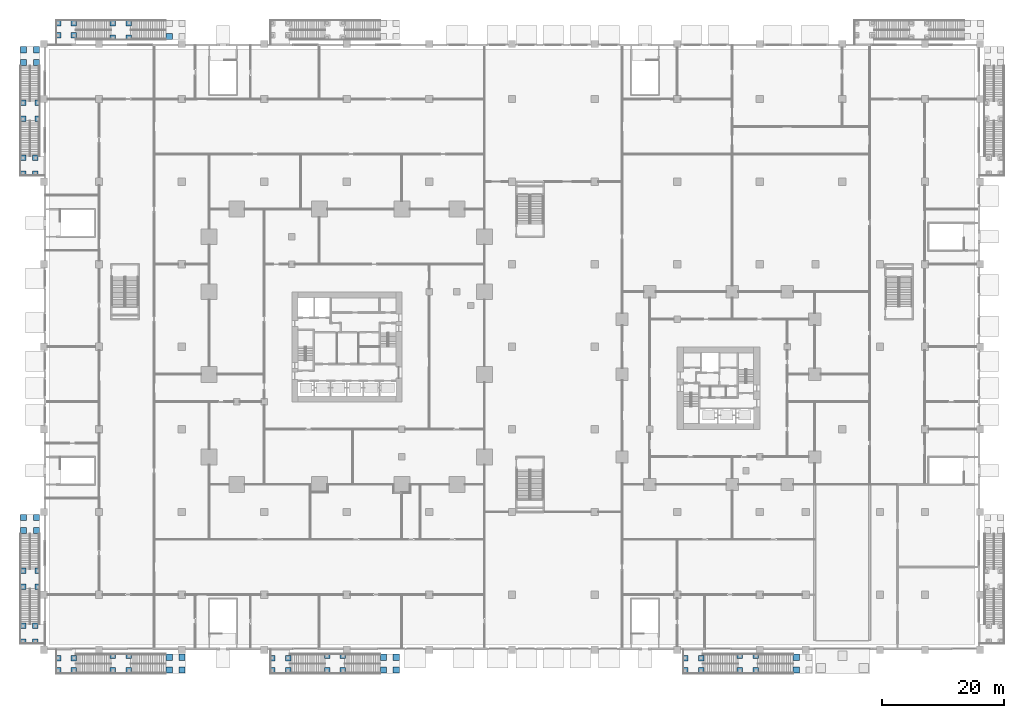
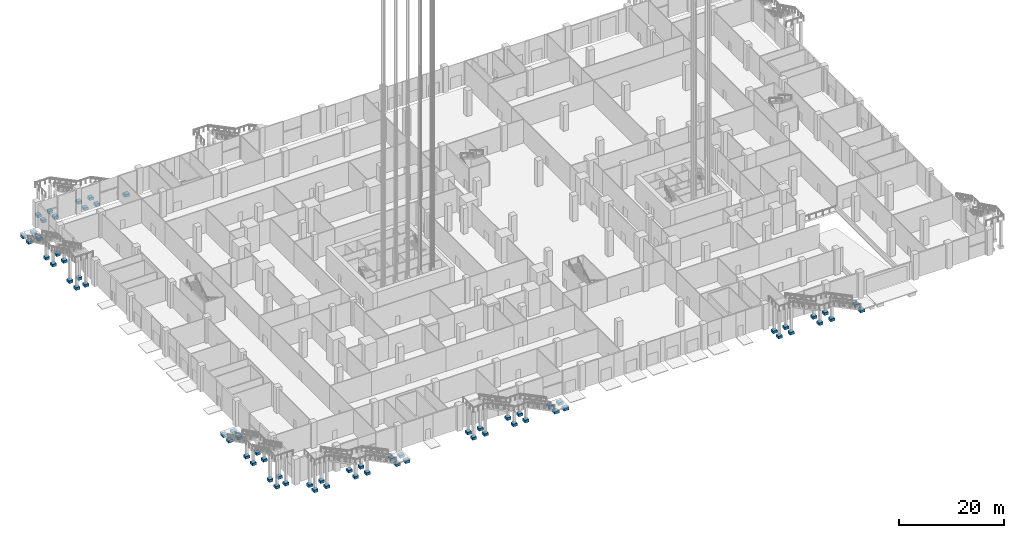
# One storey, part 1 of 68: 67 footings.
"""IFC4 building model written with IfcOpenShell, lengths in metres."""

from ifc_helpers import new_model, si_unit, direction, frame, origin, place, context, subcontext, project, spatial, polyline, outline, extrude, material, layer, layer_set, type_object, element, save


model = new_model("IFC4")

# Units and contexts
model_context = context("Model", 3, precision=1e-05, world=origin(), true_north=direction((0.0, 1.0)))
body_context = subcontext(model_context, "Body", "Model", "MODEL_VIEW")
ifc_project = project(units=[si_unit("LENGTHUNIT", "METRE"), si_unit("AREAUNIT", "SQUARE_METRE"), si_unit("VOLUMEUNIT", "CUBIC_METRE"), si_unit("PLANEANGLEUNIT", "RADIAN"), si_unit("MASSUNIT", "GRAM", prefix="KILO")], contexts=[model_context])

# Site, building, storey
site_placement = place(None, origin())
site = spatial("IfcSite", under=ifc_project, at=site_placement, CompositionType="ELEMENT")
building_placement = place(site_placement, origin())
building = spatial("IfcBuilding", under=site, at=building_placement, Name="Altepetl Exchange Towers", CompositionType="ELEMENT")
storey_placement = place(building_placement, origin())
storey = spatial("IfcBuildingStorey", under=building, at=storey_placement, Name="L00 Ground concourse", CompositionType="ELEMENT", Elevation=0.0)

# Footings
ifc_material = material(Name="Reinforced concrete C35/45", Category="concrete")
ifc_layer = layer(ifc_material, 0.60009765625)
ifc_layer_set = layer_set([ifc_layer], Name="Reinforced concrete C35/45")
footing_type = type_object("IfcFootingType", Name="Garden steps footing 900", PredefinedType="PAD_FOOTING", material=ifc_layer_set)
footing_1_placement = place(storey_placement, frame((0.0, 0.0, -0.60009765625)))
element("IfcFooting", 1, at=footing_1_placement, inside=storey, type_object=footing_type, Name="ftg:P:L00:G1pier0", PredefinedType="PAD_FOOTING", context=body_context, shape_type="SweptSolid", body=[
    extrude(outline(polyline([(1.85009765625, -1.85009765625), (2.75, -1.85009765625), (2.75, -0.949951171875), (1.85009765625, -0.949951171875), (1.85009765625, -1.85009765625)])), origin(), (0.0, 0.0, 1.0), 0.60009765625),
])
footing_2_placement = place(storey_placement, frame((0.0, 0.0, -0.60009765625)))
element("IfcFooting", 2, at=footing_2_placement, inside=storey, type_object=footing_type, Name="ftg:P:L00:G1pier1", PredefinedType="PAD_FOOTING", context=body_context, shape_type="SweptSolid", body=[
    extrude(outline(polyline([(1.85009765625, -3.85009765625), (2.75, -3.85009765625), (2.75, -2.949951171875), (1.85009765625, -2.949951171875), (1.85009765625, -3.85009765625)])), origin(), (0.0, 0.0, 1.0), 0.60009765625),
])
footing_3_placement = place(storey_placement, frame((0.0, 0.0, -0.60009765625)))
element("IfcFooting", 3, at=footing_3_placement, inside=storey, type_object=footing_type, Name="ftg:P:L00:G1pier2", PredefinedType="PAD_FOOTING", context=body_context, shape_type="SweptSolid", body=[
    extrude(outline(polyline([(4.449951171875, -1.85009765625), (5.35009765625, -1.85009765625), (5.35009765625, -0.949951171875), (4.449951171875, -0.949951171875), (4.449951171875, -1.85009765625)])), origin(), (0.0, 0.0, 1.0), 0.60009765625),
])
footing_4_placement = place(storey_placement, frame((0.0, 0.0, -0.60009765625)))
element("IfcFooting", 4, at=footing_4_placement, inside=storey, type_object=footing_type, Name="ftg:P:L00:G1pier3", PredefinedType="PAD_FOOTING", context=body_context, shape_type="SweptSolid", body=[
    extrude(outline(polyline([(4.449951171875, -3.85009765625), (5.35009765625, -3.85009765625), (5.35009765625, -2.949951171875), (4.449951171875, -2.949951171875), (4.449951171875, -3.85009765625)])), origin(), (0.0, 0.0, 1.0), 0.60009765625),
])
footing_5_placement = place(storey_placement, frame((0.0, 0.0, -0.60009765625)))
element("IfcFooting", 5, at=footing_5_placement, inside=storey, type_object=footing_type, Name="ftg:P:L00:G1pier4", PredefinedType="PAD_FOOTING", context=body_context, shape_type="SweptSolid", body=[
    extrude(outline(polyline([(10.81005859375, -1.449951171875), (11.7099609375, -1.449951171875), (11.7099609375, -0.550048828125), (10.81005859375, -0.550048828125), (10.81005859375, -1.449951171875)])), origin(), (0.0, 0.0, 1.0), 0.60009765625),
])
footing_6_placement = place(storey_placement, frame((0.0, 0.0, -0.60009765625)))
element("IfcFooting", 6, at=footing_6_placement, inside=storey, type_object=footing_type, Name="ftg:P:L00:G1pier5", PredefinedType="PAD_FOOTING", context=body_context, shape_type="SweptSolid", body=[
    extrude(outline(polyline([(10.81005859375, -3.85009765625), (11.7099609375, -3.85009765625), (11.7099609375, -2.949951171875), (10.81005859375, -2.949951171875), (10.81005859375, -3.85009765625)])), origin(), (0.0, 0.0, 1.0), 0.60009765625),
])
footing_7_placement = place(storey_placement, frame((0.0, 0.0, -0.60009765625)))
element("IfcFooting", 7, at=footing_7_placement, inside=storey, type_object=footing_type, Name="ftg:P:L00:G1pier6", PredefinedType="PAD_FOOTING", context=body_context, shape_type="SweptSolid", body=[
    extrude(outline(polyline([(13.409912109375, -1.449951171875), (14.31005859375, -1.449951171875), (14.31005859375, -0.550048828125), (13.409912109375, -0.550048828125), (13.409912109375, -1.449951171875)])), origin(), (0.0, 0.0, 1.0), 0.60009765625),
])
footing_8_placement = place(storey_placement, frame((0.0, 0.0, -0.60009765625)))
element("IfcFooting", 8, at=footing_8_placement, inside=storey, type_object=footing_type, Name="ftg:P:L00:G1pier7", PredefinedType="PAD_FOOTING", context=body_context, shape_type="SweptSolid", body=[
    extrude(outline(polyline([(13.409912109375, -3.85009765625), (14.31005859375, -3.85009765625), (14.31005859375, -2.949951171875), (13.409912109375, -2.949951171875), (13.409912109375, -3.85009765625)])), origin(), (0.0, 0.0, 1.0), 0.60009765625),
])
footing_9_placement = place(storey_placement, frame((0.0, 0.0, -0.85009765625)))
element("IfcFooting", 9, at=footing_9_placement, inside=storey, type_object=footing_type, Name="ftg:P:L00:G1foot0", PredefinedType="PAD_FOOTING", context=body_context, shape_type="SweptSolid", body=[
    extrude(outline(polyline([(19.969970703125, -1.75), (20.969970703125, -1.75), (20.969970703125, -0.75), (19.969970703125, -0.75), (19.969970703125, -1.75)])), origin(), (0.0, 0.0, 1.0), 0.60009765625),
])
footing_10_placement = place(storey_placement, frame((0.0, 0.0, -0.85009765625)))
element("IfcFooting", 10, at=footing_10_placement, inside=storey, type_object=footing_type, Name="ftg:P:L00:G1foot1", PredefinedType="PAD_FOOTING", context=body_context, shape_type="SweptSolid", body=[
    extrude(outline(polyline([(22.070068359375, -1.75), (23.070068359375, -1.75), (23.070068359375, -0.75), (22.070068359375, -0.75), (22.070068359375, -1.75)])), origin(), (0.0, 0.0, 1.0), 0.60009765625),
])
footing_11_placement = place(storey_placement, frame((0.0, 0.0, -0.85009765625)))
element("IfcFooting", 11, at=footing_11_placement, inside=storey, type_object=footing_type, Name="ftg:P:L00:G1foot2", PredefinedType="PAD_FOOTING", context=body_context, shape_type="SweptSolid", body=[
    extrude(outline(polyline([(22.070068359375, -3.85009765625), (23.070068359375, -3.85009765625), (23.070068359375, -2.85009765625), (22.070068359375, -2.85009765625), (22.070068359375, -3.85009765625)])), origin(), (0.0, 0.0, 1.0), 0.60009765625),
])
footing_12_placement = place(storey_placement, frame((0.0, 0.0, -0.85009765625)))
element("IfcFooting", 12, at=footing_12_placement, inside=storey, type_object=footing_type, Name="ftg:P:L00:G1foot3", PredefinedType="PAD_FOOTING", context=body_context, shape_type="SweptSolid", body=[
    extrude(outline(polyline([(19.969970703125, -3.85009765625), (20.969970703125, -3.85009765625), (20.969970703125, -2.85009765625), (19.969970703125, -2.85009765625), (19.969970703125, -3.85009765625)])), origin(), (0.0, 0.0, 1.0), 0.60009765625),
])
footing_13_placement = place(storey_placement, frame((0.0, 0.0, -0.60009765625)))
element("IfcFooting", 13, at=footing_13_placement, inside=storey, type_object=footing_type, Name="ftg:P:L00:G2pier0", PredefinedType="PAD_FOOTING", context=body_context, shape_type="SweptSolid", body=[
    extrude(outline(polyline([(36.85009765625, -1.85009765625), (37.75, -1.85009765625), (37.75, -0.949951171875), (36.85009765625, -0.949951171875), (36.85009765625, -1.85009765625)])), origin(), (0.0, 0.0, 1.0), 0.60009765625),
])
footing_14_placement = place(storey_placement, frame((0.0, 0.0, -0.60009765625)))
element("IfcFooting", 14, at=footing_14_placement, inside=storey, type_object=footing_type, Name="ftg:P:L00:G2pier1", PredefinedType="PAD_FOOTING", context=body_context, shape_type="SweptSolid", body=[
    extrude(outline(polyline([(36.85009765625, -3.85009765625), (37.75, -3.85009765625), (37.75, -2.949951171875), (36.85009765625, -2.949951171875), (36.85009765625, -3.85009765625)])), origin(), (0.0, 0.0, 1.0), 0.60009765625),
])
footing_15_placement = place(storey_placement, frame((0.0, 0.0, -0.60009765625)))
element("IfcFooting", 15, at=footing_15_placement, inside=storey, type_object=footing_type, Name="ftg:P:L00:G2pier2", PredefinedType="PAD_FOOTING", context=body_context, shape_type="SweptSolid", body=[
    extrude(outline(polyline([(39.449951171875, -1.85009765625), (40.35009765625, -1.85009765625), (40.35009765625, -0.949951171875), (39.449951171875, -0.949951171875), (39.449951171875, -1.85009765625)])), origin(), (0.0, 0.0, 1.0), 0.60009765625),
])
footing_16_placement = place(storey_placement, frame((0.0, 0.0, -0.60009765625)))
element("IfcFooting", 16, at=footing_16_placement, inside=storey, type_object=footing_type, Name="ftg:P:L00:G2pier3", PredefinedType="PAD_FOOTING", context=body_context, shape_type="SweptSolid", body=[
    extrude(outline(polyline([(39.449951171875, -3.85009765625), (40.35009765625, -3.85009765625), (40.35009765625, -2.949951171875), (39.449951171875, -2.949951171875), (39.449951171875, -3.85009765625)])), origin(), (0.0, 0.0, 1.0), 0.60009765625),
])
footing_17_placement = place(storey_placement, frame((0.0, 0.0, -0.60009765625)))
element("IfcFooting", 17, at=footing_17_placement, inside=storey, type_object=footing_type, Name="ftg:P:L00:G2pier4", PredefinedType="PAD_FOOTING", context=body_context, shape_type="SweptSolid", body=[
    extrude(outline(polyline([(45.81005859375, -1.449951171875), (46.7099609375, -1.449951171875), (46.7099609375, -0.550048828125), (45.81005859375, -0.550048828125), (45.81005859375, -1.449951171875)])), origin(), (0.0, 0.0, 1.0), 0.60009765625),
])
footing_18_placement = place(storey_placement, frame((0.0, 0.0, -0.60009765625)))
element("IfcFooting", 18, at=footing_18_placement, inside=storey, type_object=footing_type, Name="ftg:P:L00:G2pier5", PredefinedType="PAD_FOOTING", context=body_context, shape_type="SweptSolid", body=[
    extrude(outline(polyline([(45.81005859375, -3.85009765625), (46.7099609375, -3.85009765625), (46.7099609375, -2.949951171875), (45.81005859375, -2.949951171875), (45.81005859375, -3.85009765625)])), origin(), (0.0, 0.0, 1.0), 0.60009765625),
])
footing_19_placement = place(storey_placement, frame((0.0, 0.0, -0.60009765625)))
element("IfcFooting", 19, at=footing_19_placement, inside=storey, type_object=footing_type, Name="ftg:P:L00:G2pier6", PredefinedType="PAD_FOOTING", context=body_context, shape_type="SweptSolid", body=[
    extrude(outline(polyline([(48.409912109375, -1.449951171875), (49.31005859375, -1.449951171875), (49.31005859375, -0.550048828125), (48.409912109375, -0.550048828125), (48.409912109375, -1.449951171875)])), origin(), (0.0, 0.0, 1.0), 0.60009765625),
])
footing_20_placement = place(storey_placement, frame((0.0, 0.0, -0.60009765625)))
element("IfcFooting", 20, at=footing_20_placement, inside=storey, type_object=footing_type, Name="ftg:P:L00:G2pier7", PredefinedType="PAD_FOOTING", context=body_context, shape_type="SweptSolid", body=[
    extrude(outline(polyline([(48.409912109375, -3.85009765625), (49.31005859375, -3.85009765625), (49.31005859375, -2.949951171875), (48.409912109375, -2.949951171875), (48.409912109375, -3.85009765625)])), origin(), (0.0, 0.0, 1.0), 0.60009765625),
])
footing_21_placement = place(storey_placement, frame((0.0, 0.0, -0.85009765625)))
element("IfcFooting", 21, at=footing_21_placement, inside=storey, type_object=footing_type, Name="ftg:P:L00:G2foot0", PredefinedType="PAD_FOOTING", context=body_context, shape_type="SweptSolid", body=[
    extrude(outline(polyline([(54.969970703125, -1.75), (55.969970703125, -1.75), (55.969970703125, -0.75), (54.969970703125, -0.75), (54.969970703125, -1.75)])), origin(), (0.0, 0.0, 1.0), 0.60009765625),
])
footing_22_placement = place(storey_placement, frame((0.0, 0.0, -0.85009765625)))
element("IfcFooting", 22, at=footing_22_placement, inside=storey, type_object=footing_type, Name="ftg:P:L00:G2foot1", PredefinedType="PAD_FOOTING", context=body_context, shape_type="SweptSolid", body=[
    extrude(outline(polyline([(57.070068359375, -1.75), (58.070068359375, -1.75), (58.070068359375, -0.75), (57.070068359375, -0.75), (57.070068359375, -1.75)])), origin(), (0.0, 0.0, 1.0), 0.60009765625),
])
footing_23_placement = place(storey_placement, frame((0.0, 0.0, -0.85009765625)))
element("IfcFooting", 23, at=footing_23_placement, inside=storey, type_object=footing_type, Name="ftg:P:L00:G2foot2", PredefinedType="PAD_FOOTING", context=body_context, shape_type="SweptSolid", body=[
    extrude(outline(polyline([(57.070068359375, -3.85009765625), (58.070068359375, -3.85009765625), (58.070068359375, -2.85009765625), (57.070068359375, -2.85009765625), (57.070068359375, -3.85009765625)])), origin(), (0.0, 0.0, 1.0), 0.60009765625),
])
footing_24_placement = place(storey_placement, frame((0.0, 0.0, -0.85009765625)))
element("IfcFooting", 24, at=footing_24_placement, inside=storey, type_object=footing_type, Name="ftg:P:L00:G2foot3", PredefinedType="PAD_FOOTING", context=body_context, shape_type="SweptSolid", body=[
    extrude(outline(polyline([(54.969970703125, -3.85009765625), (55.969970703125, -3.85009765625), (55.969970703125, -2.85009765625), (54.969970703125, -2.85009765625), (54.969970703125, -3.85009765625)])), origin(), (0.0, 0.0, 1.0), 0.60009765625),
])
footing_25_placement = place(storey_placement, frame((0.0, 0.0, -0.60009765625)))
element("IfcFooting", 25, at=footing_25_placement, inside=storey, type_object=footing_type, Name="ftg:P:L00:G3pier0", PredefinedType="PAD_FOOTING", context=body_context, shape_type="SweptSolid", body=[
    extrude(outline(polyline([(1.85009765625, 99.949951171875), (2.75, 99.949951171875), (2.75, 100.85009765625), (1.85009765625, 100.85009765625), (1.85009765625, 99.949951171875)])), origin(), (0.0, 0.0, 1.0), 0.60009765625),
])
footing_26_placement = place(storey_placement, frame((0.0, 0.0, -0.60009765625)))
element("IfcFooting", 26, at=footing_26_placement, inside=storey, type_object=footing_type, Name="ftg:P:L00:G3pier1", PredefinedType="PAD_FOOTING", context=body_context, shape_type="SweptSolid", body=[
    extrude(outline(polyline([(1.85009765625, 101.949951171875), (2.75, 101.949951171875), (2.75, 102.85009765625), (1.85009765625, 102.85009765625), (1.85009765625, 101.949951171875)])), origin(), (0.0, 0.0, 1.0), 0.60009765625),
])
footing_27_placement = place(storey_placement, frame((0.0, 0.0, -0.60009765625)))
element("IfcFooting", 27, at=footing_27_placement, inside=storey, type_object=footing_type, Name="ftg:P:L00:G3pier2", PredefinedType="PAD_FOOTING", context=body_context, shape_type="SweptSolid", body=[
    extrude(outline(polyline([(4.449951171875, 99.949951171875), (5.35009765625, 99.949951171875), (5.35009765625, 100.85009765625), (4.449951171875, 100.85009765625), (4.449951171875, 99.949951171875)])), origin(), (0.0, 0.0, 1.0), 0.60009765625),
])
footing_28_placement = place(storey_placement, frame((0.0, 0.0, -0.60009765625)))
element("IfcFooting", 28, at=footing_28_placement, inside=storey, type_object=footing_type, Name="ftg:P:L00:G3pier3", PredefinedType="PAD_FOOTING", context=body_context, shape_type="SweptSolid", body=[
    extrude(outline(polyline([(4.449951171875, 101.949951171875), (5.35009765625, 101.949951171875), (5.35009765625, 102.85009765625), (4.449951171875, 102.85009765625), (4.449951171875, 101.949951171875)])), origin(), (0.0, 0.0, 1.0), 0.60009765625),
])
footing_29_placement = place(storey_placement, frame((0.0, 0.0, -0.60009765625)))
element("IfcFooting", 29, at=footing_29_placement, inside=storey, type_object=footing_type, Name="ftg:P:L00:G3pier4", PredefinedType="PAD_FOOTING", context=body_context, shape_type="SweptSolid", body=[
    extrude(outline(polyline([(10.81005859375, 99.550048828125), (11.7099609375, 99.550048828125), (11.7099609375, 100.449951171875), (10.81005859375, 100.449951171875), (10.81005859375, 99.550048828125)])), origin(), (0.0, 0.0, 1.0), 0.60009765625),
])
footing_30_placement = place(storey_placement, frame((0.0, 0.0, -0.60009765625)))
element("IfcFooting", 30, at=footing_30_placement, inside=storey, type_object=footing_type, Name="ftg:P:L00:G3pier5", PredefinedType="PAD_FOOTING", context=body_context, shape_type="SweptSolid", body=[
    extrude(outline(polyline([(10.81005859375, 101.949951171875), (11.7099609375, 101.949951171875), (11.7099609375, 102.85009765625), (10.81005859375, 102.85009765625), (10.81005859375, 101.949951171875)])), origin(), (0.0, 0.0, 1.0), 0.60009765625),
])
footing_31_placement = place(storey_placement, frame((0.0, 0.0, -0.60009765625)))
element("IfcFooting", 31, at=footing_31_placement, inside=storey, type_object=footing_type, Name="ftg:P:L00:G3pier6", PredefinedType="PAD_FOOTING", context=body_context, shape_type="SweptSolid", body=[
    extrude(outline(polyline([(13.409912109375, 99.550048828125), (14.31005859375, 99.550048828125), (14.31005859375, 100.449951171875), (13.409912109375, 100.449951171875), (13.409912109375, 99.550048828125)])), origin(), (0.0, 0.0, 1.0), 0.60009765625),
])
footing_32_placement = place(storey_placement, frame((0.0, 0.0, -0.60009765625)))
element("IfcFooting", 32, at=footing_32_placement, inside=storey, type_object=footing_type, Name="ftg:P:L00:G3pier7", PredefinedType="PAD_FOOTING", context=body_context, shape_type="SweptSolid", body=[
    extrude(outline(polyline([(13.409912109375, 101.949951171875), (14.31005859375, 101.949951171875), (14.31005859375, 102.85009765625), (13.409912109375, 102.85009765625), (13.409912109375, 101.949951171875)])), origin(), (0.0, 0.0, 1.0), 0.60009765625),
])
footing_33_placement = place(storey_placement, frame((0.0, 0.0, -0.85009765625)))
element("IfcFooting", 33, at=footing_33_placement, inside=storey, type_object=footing_type, Name="ftg:P:L00:G3foot0", PredefinedType="PAD_FOOTING", context=body_context, shape_type="SweptSolid", body=[
    extrude(outline(polyline([(19.969970703125, 99.75), (20.969970703125, 99.75), (20.969970703125, 100.75), (19.969970703125, 100.75), (19.969970703125, 99.75)])), origin(), (0.0, 0.0, 1.0), 0.60009765625),
])
footing_34_placement = place(storey_placement, frame((0.0, 0.0, -0.60009765625)))
element("IfcFooting", 34, at=footing_34_placement, inside=storey, type_object=footing_type, Name="ftg:P:L00:G5pier0", PredefinedType="PAD_FOOTING", context=body_context, shape_type="SweptSolid", body=[
    extrude(outline(polyline([(-1.85009765625, 77.35009765625), (-0.949951171875, 77.35009765625), (-0.949951171875, 78.25), (-1.85009765625, 78.25), (-1.85009765625, 77.35009765625)])), origin(), (0.0, 0.0, 1.0), 0.60009765625),
])
footing_35_placement = place(storey_placement, frame((0.0, 0.0, -0.60009765625)))
element("IfcFooting", 35, at=footing_35_placement, inside=storey, type_object=footing_type, Name="ftg:P:L00:G5pier1", PredefinedType="PAD_FOOTING", context=body_context, shape_type="SweptSolid", body=[
    extrude(outline(polyline([(-3.85009765625, 77.35009765625), (-2.949951171875, 77.35009765625), (-2.949951171875, 78.25), (-3.85009765625, 78.25), (-3.85009765625, 77.35009765625)])), origin(), (0.0, 0.0, 1.0), 0.60009765625),
])
footing_36_placement = place(storey_placement, frame((0.0, 0.0, -0.60009765625)))
element("IfcFooting", 36, at=footing_36_placement, inside=storey, type_object=footing_type, Name="ftg:P:L00:G5pier2", PredefinedType="PAD_FOOTING", context=body_context, shape_type="SweptSolid", body=[
    extrude(outline(polyline([(-1.85009765625, 79.949951171875), (-0.949951171875, 79.949951171875), (-0.949951171875, 80.85009765625), (-1.85009765625, 80.85009765625), (-1.85009765625, 79.949951171875)])), origin(), (0.0, 0.0, 1.0), 0.60009765625),
])
footing_37_placement = place(storey_placement, frame((0.0, 0.0, -0.60009765625)))
element("IfcFooting", 37, at=footing_37_placement, inside=storey, type_object=footing_type, Name="ftg:P:L00:G5pier3", PredefinedType="PAD_FOOTING", context=body_context, shape_type="SweptSolid", body=[
    extrude(outline(polyline([(-3.85009765625, 79.949951171875), (-2.949951171875, 79.949951171875), (-2.949951171875, 80.85009765625), (-3.85009765625, 80.85009765625), (-3.85009765625, 79.949951171875)])), origin(), (0.0, 0.0, 1.0), 0.60009765625),
])
footing_38_placement = place(storey_placement, frame((0.0, 0.0, -0.60009765625)))
element("IfcFooting", 38, at=footing_38_placement, inside=storey, type_object=footing_type, Name="ftg:P:L00:G5pier4", PredefinedType="PAD_FOOTING", context=body_context, shape_type="SweptSolid", body=[
    extrude(outline(polyline([(-1.449951171875, 86.31005859375), (-0.550048828125, 86.31005859375), (-0.550048828125, 87.2099609375), (-1.449951171875, 87.2099609375), (-1.449951171875, 86.31005859375)])), origin(), (0.0, 0.0, 1.0), 0.60009765625),
])
footing_39_placement = place(storey_placement, frame((0.0, 0.0, -0.60009765625)))
element("IfcFooting", 39, at=footing_39_placement, inside=storey, type_object=footing_type, Name="ftg:P:L00:G5pier5", PredefinedType="PAD_FOOTING", context=body_context, shape_type="SweptSolid", body=[
    extrude(outline(polyline([(-3.85009765625, 86.31005859375), (-2.949951171875, 86.31005859375), (-2.949951171875, 87.2099609375), (-3.85009765625, 87.2099609375), (-3.85009765625, 86.31005859375)])), origin(), (0.0, 0.0, 1.0), 0.60009765625),
])
footing_40_placement = place(storey_placement, frame((0.0, 0.0, -0.60009765625)))
element("IfcFooting", 40, at=footing_40_placement, inside=storey, type_object=footing_type, Name="ftg:P:L00:G5pier6", PredefinedType="PAD_FOOTING", context=body_context, shape_type="SweptSolid", body=[
    extrude(outline(polyline([(-1.449951171875, 88.909912109375), (-0.550048828125, 88.909912109375), (-0.550048828125, 89.81005859375), (-1.449951171875, 89.81005859375), (-1.449951171875, 88.909912109375)])), origin(), (0.0, 0.0, 1.0), 0.60009765625),
])
footing_41_placement = place(storey_placement, frame((0.0, 0.0, -0.60009765625)))
element("IfcFooting", 41, at=footing_41_placement, inside=storey, type_object=footing_type, Name="ftg:P:L00:G5pier7", PredefinedType="PAD_FOOTING", context=body_context, shape_type="SweptSolid", body=[
    extrude(outline(polyline([(-3.85009765625, 88.909912109375), (-2.949951171875, 88.909912109375), (-2.949951171875, 89.81005859375), (-3.85009765625, 89.81005859375), (-3.85009765625, 88.909912109375)])), origin(), (0.0, 0.0, 1.0), 0.60009765625),
])
footing_42_placement = place(storey_placement, frame((0.0, 0.0, -0.85009765625)))
element("IfcFooting", 42, at=footing_42_placement, inside=storey, type_object=footing_type, Name="ftg:P:L00:G5foot0", PredefinedType="PAD_FOOTING", context=body_context, shape_type="SweptSolid", body=[
    extrude(outline(polyline([(-1.75, 95.469970703125), (-0.75, 95.469970703125), (-0.75, 96.469970703125), (-1.75, 96.469970703125), (-1.75, 95.469970703125)])), origin(), (0.0, 0.0, 1.0), 0.60009765625),
])
footing_43_placement = place(storey_placement, frame((0.0, 0.0, -0.85009765625)))
element("IfcFooting", 43, at=footing_43_placement, inside=storey, type_object=footing_type, Name="ftg:P:L00:G5foot1", PredefinedType="PAD_FOOTING", context=body_context, shape_type="SweptSolid", body=[
    extrude(outline(polyline([(-1.75, 97.570068359375), (-0.75, 97.570068359375), (-0.75, 98.570068359375), (-1.75, 98.570068359375), (-1.75, 97.570068359375)])), origin(), (0.0, 0.0, 1.0), 0.60009765625),
])
footing_44_placement = place(storey_placement, frame((0.0, 0.0, -0.85009765625)))
element("IfcFooting", 44, at=footing_44_placement, inside=storey, type_object=footing_type, Name="ftg:P:L00:G5foot2", PredefinedType="PAD_FOOTING", context=body_context, shape_type="SweptSolid", body=[
    extrude(outline(polyline([(-3.85009765625, 97.570068359375), (-2.85009765625, 97.570068359375), (-2.85009765625, 98.570068359375), (-3.85009765625, 98.570068359375), (-3.85009765625, 97.570068359375)])), origin(), (0.0, 0.0, 1.0), 0.60009765625),
])
footing_45_placement = place(storey_placement, frame((0.0, 0.0, -0.85009765625)))
element("IfcFooting", 45, at=footing_45_placement, inside=storey, type_object=footing_type, Name="ftg:P:L00:G5foot3", PredefinedType="PAD_FOOTING", context=body_context, shape_type="SweptSolid", body=[
    extrude(outline(polyline([(-3.85009765625, 95.469970703125), (-2.85009765625, 95.469970703125), (-2.85009765625, 96.469970703125), (-3.85009765625, 96.469970703125), (-3.85009765625, 95.469970703125)])), origin(), (0.0, 0.0, 1.0), 0.60009765625),
])
footing_46_placement = place(storey_placement, frame((0.0, 0.0, -0.60009765625)))
element("IfcFooting", 46, at=footing_46_placement, inside=storey, type_object=footing_type, Name="ftg:P:L00:G7pier0", PredefinedType="PAD_FOOTING", context=body_context, shape_type="SweptSolid", body=[
    extrude(outline(polyline([(104.35009765625, -1.85009765625), (105.25, -1.85009765625), (105.25, -0.949951171875), (104.35009765625, -0.949951171875), (104.35009765625, -1.85009765625)])), origin(), (0.0, 0.0, 1.0), 0.60009765625),
])
footing_47_placement = place(storey_placement, frame((0.0, 0.0, -0.60009765625)))
element("IfcFooting", 47, at=footing_47_placement, inside=storey, type_object=footing_type, Name="ftg:P:L00:G7pier1", PredefinedType="PAD_FOOTING", context=body_context, shape_type="SweptSolid", body=[
    extrude(outline(polyline([(104.35009765625, -3.85009765625), (105.25, -3.85009765625), (105.25, -2.949951171875), (104.35009765625, -2.949951171875), (104.35009765625, -3.85009765625)])), origin(), (0.0, 0.0, 1.0), 0.60009765625),
])
footing_48_placement = place(storey_placement, frame((0.0, 0.0, -0.60009765625)))
element("IfcFooting", 48, at=footing_48_placement, inside=storey, type_object=footing_type, Name="ftg:P:L00:G7pier2", PredefinedType="PAD_FOOTING", context=body_context, shape_type="SweptSolid", body=[
    extrude(outline(polyline([(106.949951171875, -1.85009765625), (107.85009765625, -1.85009765625), (107.85009765625, -0.949951171875), (106.949951171875, -0.949951171875), (106.949951171875, -1.85009765625)])), origin(), (0.0, 0.0, 1.0), 0.60009765625),
])
footing_49_placement = place(storey_placement, frame((0.0, 0.0, -0.60009765625)))
element("IfcFooting", 49, at=footing_49_placement, inside=storey, type_object=footing_type, Name="ftg:P:L00:G7pier3", PredefinedType="PAD_FOOTING", context=body_context, shape_type="SweptSolid", body=[
    extrude(outline(polyline([(106.949951171875, -3.85009765625), (107.85009765625, -3.85009765625), (107.85009765625, -2.949951171875), (106.949951171875, -2.949951171875), (106.949951171875, -3.85009765625)])), origin(), (0.0, 0.0, 1.0), 0.60009765625),
])
footing_50_placement = place(storey_placement, frame((0.0, 0.0, -0.60009765625)))
element("IfcFooting", 50, at=footing_50_placement, inside=storey, type_object=footing_type, Name="ftg:P:L00:G7pier4", PredefinedType="PAD_FOOTING", context=body_context, shape_type="SweptSolid", body=[
    extrude(outline(polyline([(113.31005859375, -1.449951171875), (114.2099609375, -1.449951171875), (114.2099609375, -0.550048828125), (113.31005859375, -0.550048828125), (113.31005859375, -1.449951171875)])), origin(), (0.0, 0.0, 1.0), 0.60009765625),
])
footing_51_placement = place(storey_placement, frame((0.0, 0.0, -0.60009765625)))
element("IfcFooting", 51, at=footing_51_placement, inside=storey, type_object=footing_type, Name="ftg:P:L00:G7pier5", PredefinedType="PAD_FOOTING", context=body_context, shape_type="SweptSolid", body=[
    extrude(outline(polyline([(113.31005859375, -3.85009765625), (114.2099609375, -3.85009765625), (114.2099609375, -2.949951171875), (113.31005859375, -2.949951171875), (113.31005859375, -3.85009765625)])), origin(), (0.0, 0.0, 1.0), 0.60009765625),
])
footing_52_placement = place(storey_placement, frame((0.0, 0.0, -0.60009765625)))
element("IfcFooting", 52, at=footing_52_placement, inside=storey, type_object=footing_type, Name="ftg:P:L00:G7pier6", PredefinedType="PAD_FOOTING", context=body_context, shape_type="SweptSolid", body=[
    extrude(outline(polyline([(115.909912109375, -1.449951171875), (116.81005859375, -1.449951171875), (116.81005859375, -0.550048828125), (115.909912109375, -0.550048828125), (115.909912109375, -1.449951171875)])), origin(), (0.0, 0.0, 1.0), 0.60009765625),
])
footing_53_placement = place(storey_placement, frame((0.0, 0.0, -0.60009765625)))
element("IfcFooting", 53, at=footing_53_placement, inside=storey, type_object=footing_type, Name="ftg:P:L00:G7pier7", PredefinedType="PAD_FOOTING", context=body_context, shape_type="SweptSolid", body=[
    extrude(outline(polyline([(115.909912109375, -3.85009765625), (116.81005859375, -3.85009765625), (116.81005859375, -2.949951171875), (115.909912109375, -2.949951171875), (115.909912109375, -3.85009765625)])), origin(), (0.0, 0.0, 1.0), 0.60009765625),
])
footing_54_placement = place(storey_placement, frame((0.0, 0.0, -0.85009765625)))
element("IfcFooting", 54, at=footing_54_placement, inside=storey, type_object=footing_type, Name="ftg:P:L00:G7foot0", PredefinedType="PAD_FOOTING", context=body_context, shape_type="SweptSolid", body=[
    extrude(outline(polyline([(122.469970703125, -1.75), (123.469970703125, -1.75), (123.469970703125, -0.75), (122.469970703125, -0.75), (122.469970703125, -1.75)])), origin(), (0.0, 0.0, 1.0), 0.60009765625),
])
footing_55_placement = place(storey_placement, frame((0.0, 0.0, -0.85009765625)))
element("IfcFooting", 55, at=footing_55_placement, inside=storey, type_object=footing_type, Name="ftg:P:L00:G7foot3", PredefinedType="PAD_FOOTING", context=body_context, shape_type="SweptSolid", body=[
    extrude(outline(polyline([(122.469970703125, -3.85009765625), (123.469970703125, -3.85009765625), (123.469970703125, -2.85009765625), (122.469970703125, -2.85009765625), (122.469970703125, -3.85009765625)])), origin(), (0.0, 0.0, 1.0), 0.60009765625),
])
footing_56_placement = place(storey_placement, frame((0.0, 0.0, -0.60009765625)))
element("IfcFooting", 56, at=footing_56_placement, inside=storey, type_object=footing_type, Name="ftg:P:L00:G9pier0", PredefinedType="PAD_FOOTING", context=body_context, shape_type="SweptSolid", body=[
    extrude(outline(polyline([(-1.85009765625, 0.85009765625), (-0.949951171875, 0.85009765625), (-0.949951171875, 1.75), (-1.85009765625, 1.75), (-1.85009765625, 0.85009765625)])), origin(), (0.0, 0.0, 1.0), 0.60009765625),
])
footing_57_placement = place(storey_placement, frame((0.0, 0.0, -0.60009765625)))
element("IfcFooting", 57, at=footing_57_placement, inside=storey, type_object=footing_type, Name="ftg:P:L00:G9pier1", PredefinedType="PAD_FOOTING", context=body_context, shape_type="SweptSolid", body=[
    extrude(outline(polyline([(-3.85009765625, 0.85009765625), (-2.949951171875, 0.85009765625), (-2.949951171875, 1.75), (-3.85009765625, 1.75), (-3.85009765625, 0.85009765625)])), origin(), (0.0, 0.0, 1.0), 0.60009765625),
])
footing_58_placement = place(storey_placement, frame((0.0, 0.0, -0.60009765625)))
element("IfcFooting", 58, at=footing_58_placement, inside=storey, type_object=footing_type, Name="ftg:P:L00:G9pier2", PredefinedType="PAD_FOOTING", context=body_context, shape_type="SweptSolid", body=[
    extrude(outline(polyline([(-1.85009765625, 3.449951171875), (-0.949951171875, 3.449951171875), (-0.949951171875, 4.35009765625), (-1.85009765625, 4.35009765625), (-1.85009765625, 3.449951171875)])), origin(), (0.0, 0.0, 1.0), 0.60009765625),
])
footing_59_placement = place(storey_placement, frame((0.0, 0.0, -0.60009765625)))
element("IfcFooting", 59, at=footing_59_placement, inside=storey, type_object=footing_type, Name="ftg:P:L00:G9pier3", PredefinedType="PAD_FOOTING", context=body_context, shape_type="SweptSolid", body=[
    extrude(outline(polyline([(-3.85009765625, 3.449951171875), (-2.949951171875, 3.449951171875), (-2.949951171875, 4.35009765625), (-3.85009765625, 4.35009765625), (-3.85009765625, 3.449951171875)])), origin(), (0.0, 0.0, 1.0), 0.60009765625),
])
footing_60_placement = place(storey_placement, frame((0.0, 0.0, -0.60009765625)))
element("IfcFooting", 60, at=footing_60_placement, inside=storey, type_object=footing_type, Name="ftg:P:L00:G9pier4", PredefinedType="PAD_FOOTING", context=body_context, shape_type="SweptSolid", body=[
    extrude(outline(polyline([(-1.449951171875, 9.81005859375), (-0.550048828125, 9.81005859375), (-0.550048828125, 10.7099609375), (-1.449951171875, 10.7099609375), (-1.449951171875, 9.81005859375)])), origin(), (0.0, 0.0, 1.0), 0.60009765625),
])
footing_61_placement = place(storey_placement, frame((0.0, 0.0, -0.60009765625)))
element("IfcFooting", 61, at=footing_61_placement, inside=storey, type_object=footing_type, Name="ftg:P:L00:G9pier5", PredefinedType="PAD_FOOTING", context=body_context, shape_type="SweptSolid", body=[
    extrude(outline(polyline([(-3.85009765625, 9.81005859375), (-2.949951171875, 9.81005859375), (-2.949951171875, 10.7099609375), (-3.85009765625, 10.7099609375), (-3.85009765625, 9.81005859375)])), origin(), (0.0, 0.0, 1.0), 0.60009765625),
])
footing_62_placement = place(storey_placement, frame((0.0, 0.0, -0.60009765625)))
element("IfcFooting", 62, at=footing_62_placement, inside=storey, type_object=footing_type, Name="ftg:P:L00:G9pier6", PredefinedType="PAD_FOOTING", context=body_context, shape_type="SweptSolid", body=[
    extrude(outline(polyline([(-1.449951171875, 12.409912109375), (-0.550048828125, 12.409912109375), (-0.550048828125, 13.31005859375), (-1.449951171875, 13.31005859375), (-1.449951171875, 12.409912109375)])), origin(), (0.0, 0.0, 1.0), 0.60009765625),
])
footing_63_placement = place(storey_placement, frame((0.0, 0.0, -0.60009765625)))
element("IfcFooting", 63, at=footing_63_placement, inside=storey, type_object=footing_type, Name="ftg:P:L00:G9pier7", PredefinedType="PAD_FOOTING", context=body_context, shape_type="SweptSolid", body=[
    extrude(outline(polyline([(-3.85009765625, 12.409912109375), (-2.949951171875, 12.409912109375), (-2.949951171875, 13.31005859375), (-3.85009765625, 13.31005859375), (-3.85009765625, 12.409912109375)])), origin(), (0.0, 0.0, 1.0), 0.60009765625),
])
footing_64_placement = place(storey_placement, frame((0.0, 0.0, -0.85009765625)))
element("IfcFooting", 64, at=footing_64_placement, inside=storey, type_object=footing_type, Name="ftg:P:L00:G9foot0", PredefinedType="PAD_FOOTING", context=body_context, shape_type="SweptSolid", body=[
    extrude(outline(polyline([(-1.75, 18.969970703125), (-0.75, 18.969970703125), (-0.75, 19.969970703125), (-1.75, 19.969970703125), (-1.75, 18.969970703125)])), origin(), (0.0, 0.0, 1.0), 0.60009765625),
])
footing_65_placement = place(storey_placement, frame((0.0, 0.0, -0.85009765625)))
element("IfcFooting", 65, at=footing_65_placement, inside=storey, type_object=footing_type, Name="ftg:P:L00:G9foot1", PredefinedType="PAD_FOOTING", context=body_context, shape_type="SweptSolid", body=[
    extrude(outline(polyline([(-1.75, 21.070068359375), (-0.75, 21.070068359375), (-0.75, 22.070068359375), (-1.75, 22.070068359375), (-1.75, 21.070068359375)])), origin(), (0.0, 0.0, 1.0), 0.60009765625),
])
footing_66_placement = place(storey_placement, frame((0.0, 0.0, -0.85009765625)))
element("IfcFooting", 66, at=footing_66_placement, inside=storey, type_object=footing_type, Name="ftg:P:L00:G9foot2", PredefinedType="PAD_FOOTING", context=body_context, shape_type="SweptSolid", body=[
    extrude(outline(polyline([(-3.85009765625, 21.070068359375), (-2.85009765625, 21.070068359375), (-2.85009765625, 22.070068359375), (-3.85009765625, 22.070068359375), (-3.85009765625, 21.070068359375)])), origin(), (0.0, 0.0, 1.0), 0.60009765625),
])
footing_67_placement = place(storey_placement, frame((0.0, 0.0, -0.85009765625)))
element("IfcFooting", 67, at=footing_67_placement, inside=storey, type_object=footing_type, Name="ftg:P:L00:G9foot3", PredefinedType="PAD_FOOTING", context=body_context, shape_type="SweptSolid", body=[
    extrude(outline(polyline([(-3.85009765625, 18.969970703125), (-2.85009765625, 18.969970703125), (-2.85009765625, 19.969970703125), (-3.85009765625, 19.969970703125), (-3.85009765625, 18.969970703125)])), origin(), (0.0, 0.0, 1.0), 0.60009765625),
])

save(model, "model.ifc")
